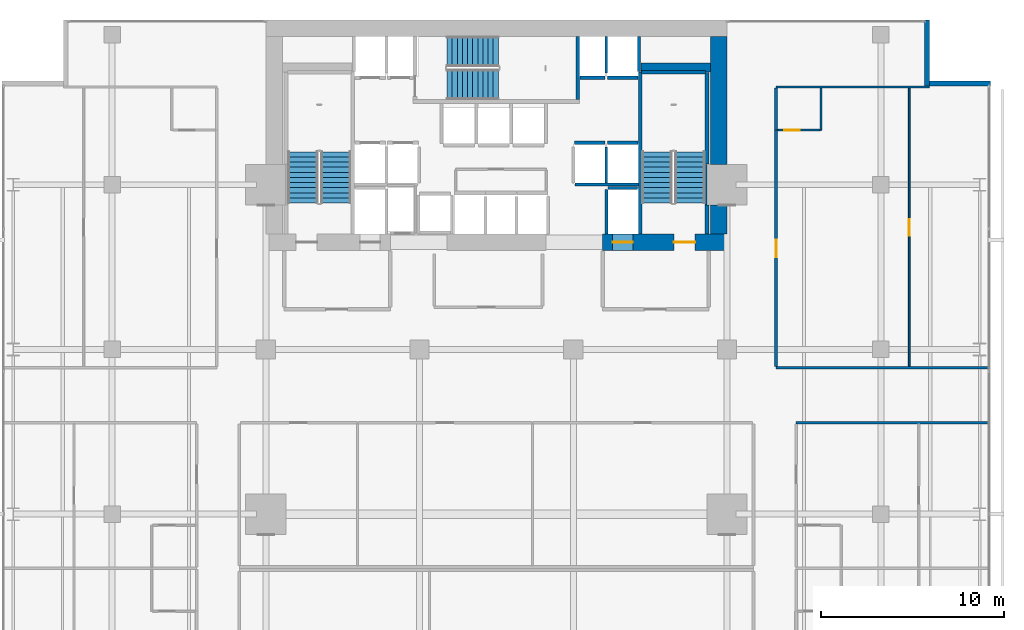
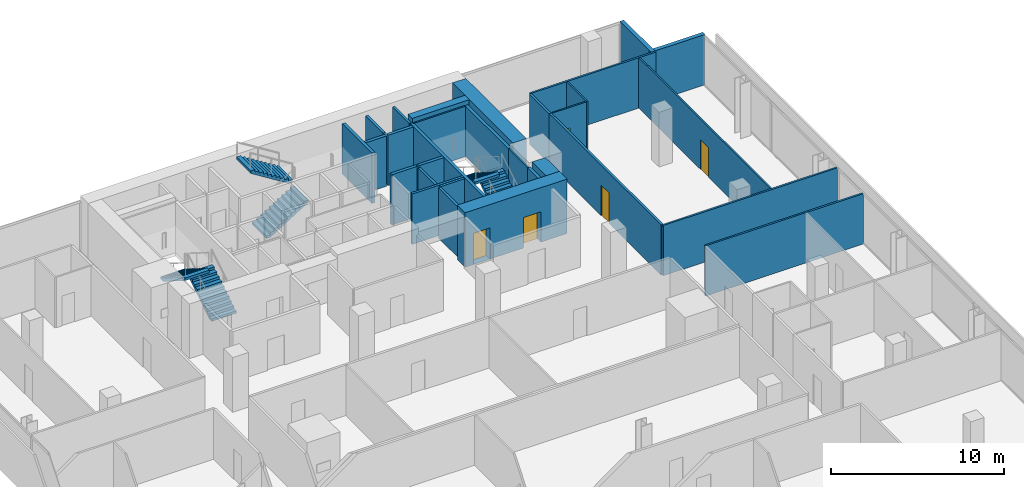
# One storey, part 36 of 39: 30 walls, 6 stair flights, 5 doors, 5 openings, 3 elements without a shape of their own.
"""IFC4 building model written with IfcOpenShell, lengths in metres."""

from ifc_helpers import new_model, si_unit, direction, frame, frame_2d, origin, place, context, subcontext, project, spatial, polyline, rectangle, outline, extrude, material, layer, layer_set, type_object, element, fill, aggregate, save


model = new_model("IFC4")

# Units and contexts
model_context = context("Model", 3, precision=1e-05, world=origin(), true_north=direction((0.0, 1.0)))
body_context = subcontext(model_context, "Body", "Model", "MODEL_VIEW")
ifc_project = project(units=[si_unit("LENGTHUNIT", "METRE"), si_unit("AREAUNIT", "SQUARE_METRE"), si_unit("VOLUMEUNIT", "CUBIC_METRE"), si_unit("PLANEANGLEUNIT", "RADIAN"), si_unit("MASSUNIT", "GRAM", prefix="KILO")], contexts=[model_context])

# Site, building, storey
site_placement = place(None, origin())
site = spatial("IfcSite", under=ifc_project, at=site_placement, CompositionType="ELEMENT")
building_placement = place(site_placement, origin())
building = spatial("IfcBuilding", under=site, at=building_placement, Name="Maruvema Waterfront Hotel and Observation Tower", CompositionType="ELEMENT")
storey_placement = place(building_placement, frame((0.0, 0.0, 111.64990234375)))
storey = spatial("IfcBuildingStorey", under=building, at=storey_placement, Name="L27", CompositionType="ELEMENT", Elevation=111.64990234375)

# Wall, opening, door
ifc_material_1 = material(Name="Twin-stud acoustic gypsum drywall", Category="gypsum")
ifc_layer_1 = layer(ifc_material_1, 0.14990234375, Name="Acoustic Corridor and Suite Demising Wall 150 mm")
ifc_layer_set_1 = layer_set([ifc_layer_1], Name="Twin-stud acoustic gypsum drywall")
wall_type_1 = type_object("IfcWallType", Name="Acoustic Corridor and Suite Demising Wall 150 mm", PredefinedType="PARTITIONING", material=ifc_layer_set_1)
wall_1_placement = place(storey_placement, frame((53.080078125, 35.06005859375, 0.0), z_axis=(0.0, 0.0, 1.0), x_axis=(0.0, 1.0, 0.0)))
wall_1 = element("IfcWall", 1, at=wall_1_placement, inside=storey, type_object=wall_type_1, Name="L27 Room L27-NE1 Corridor Wall 080", PredefinedType="PARTITIONING", context=body_context, shape_type="SweptSolid", body=[
    extrude(rectangle(XDim=12.927490234375, YDim=0.14990234375, at=frame_2d((6.4638671875, 0.0))), origin(), (0.0, 0.0, 1.0), 3.550048828125),
])
opening_1_placement = place(wall_1_placement, frame((5.98876953125, 0.0, 0.0)))
opening_1 = element("IfcOpeningElement", 2, at=opening_1_placement, cuts=wall_1, Name="Opening DR-095", PredefinedType="OPENING", context=body_context, shape_type="SweptSolid", body=[
    extrude(rectangle(XDim=0.949951171875, YDim=2.14990234375, at=frame_2d((0.47509765625, 1.074951171875))), frame((0.0, 0.0849609375, 0.0), z_axis=(0.0, -1.0, 0.0), x_axis=(1.0, 0.0, 0.0)), (0.0, 0.0, 1.0), 0.169921875),
])
ifc_material_2 = material(Name="Acoustic solid-core hardwood timber leaf", Category="wood")
door_type_1 = type_object("IfcDoorType", Name="Guestroom Entrance Fire Door 950x2150 mm", OperationType="NOTDEFINED", PredefinedType="DOOR", material=ifc_material_2)
door_1_placement = place(opening_1_placement, frame((0.949951171875, 0.0, 0.0), z_axis=(0.0, 0.0, 1.0), x_axis=(-1.0, 0.0, 0.0)))
door_1 = element("IfcDoor", 3, at=door_1_placement, inside=storey, type_object=door_type_1, Name="L27 Room L27-NE1 Entrance Door", OperationType="SINGLE_SWING_RIGHT", OverallHeight=2.14990234375, OverallWidth=0.949951171875, PredefinedType="DOOR", context=body_context, shape_type="SweptSolid", body=[
    extrude(rectangle(XDim=0.949951171875, YDim=2.14990234375, at=frame_2d((0.47509765625, 1.074951171875))), frame((0.0, 0.02490234375, 0.0), z_axis=(0.0, -1.0, 0.0), x_axis=(1.0, 0.0, 0.0)), (0.0, 0.0, 1.0), 0.050048828125),
])
fill(opening_1, door_1)

# Walls
wall_2_placement = place(storey_placement, frame((53.080078125, 47.987548828125, 0.0), z_axis=(0.0, 0.0, 1.0), x_axis=(0.0, 1.0, 0.0)))
element("IfcWall", 4, at=wall_2_placement, inside=storey, type_object=wall_type_1, Name="L27 Bath L27-NE1 Wall 081", PredefinedType="PARTITIONING", context=body_context, shape_type="SweptSolid", body=[
    extrude(rectangle(XDim=2.2900390625, YDim=0.14990234375, at=frame_2d((1.14501953125, 0.0))), origin(), (0.0, 0.0, 1.0), 3.550048828125),
])
ifc_material_3 = material(Name="Precast concrete C45/55", Category="concrete")
ifc_layer_2 = layer(ifc_material_3, 0.199951171875, Name="Core Shaft and Stairwell Enclosure Wall 200 mm")
ifc_layer_set_2 = layer_set([ifc_layer_2], Name="Precast concrete C45/55")
wall_type_2 = type_object("IfcWallType", Name="Core Shaft and Stairwell Enclosure Wall 200 mm", PredefinedType="SOLIDWALL", material=ifc_layer_set_2)
wall_3_placement = place(storey_placement, frame((42.25, 49.64990234375, 0.0), z_axis=(0.0, 0.0, 1.0), x_axis=(0.0, 1.0, 0.0)))
element("IfcWall", 5, at=wall_3_placement, inside=storey, type_object=wall_type_2, Name="L27 Stairwell ST-02 Shaft Wall", PredefinedType="SOLIDWALL", context=body_context, shape_type="SweptSolid", body=[
    extrude(rectangle(XDim=3.4501953125, YDim=0.199951171875, at=frame_2d((1.72509765625, 0.0))), origin(), (0.0, 0.0, 1.0), 3.550048828125),
])
wall_4_placement = place(storey_placement, frame((45.64990234375, 42.300048828125, 0.0), z_axis=(0.0, 0.0, 1.0), x_axis=(0.0, 1.0, 0.0)))
element("IfcWall", 6, at=wall_4_placement, inside=storey, type_object=wall_type_2, Name="L27 Stairwell ST-03 West Shaft Wall", PredefinedType="SOLIDWALL", context=body_context, shape_type="SweptSolid", body=[
    extrude(rectangle(XDim=8.849853515625, YDim=0.199951171875, at=frame_2d((4.4248046875, 0.0))), origin(), (0.0, 0.0, 1.0), 3.550048828125),
])
wall_5_placement = place(storey_placement, frame((49.300048828125, 42.300048828125, 0.0), z_axis=(0.0, 0.0, 1.0), x_axis=(0.0, 1.0, 0.0)))
element("IfcWall", 7, at=wall_5_placement, inside=storey, type_object=wall_type_2, Name="L27 Stairwell ST-03 Shaft Lining Wall", PredefinedType="SOLIDWALL", context=body_context, shape_type="SweptSolid", body=[
    extrude(rectangle(XDim=1.579833984375, YDim=0.199951171875, at=frame_2d((0.7900390625, 0.0))), origin(), (0.0, 0.0, 1.0), 3.550048828125),
])
wall_6_placement = place(storey_placement, frame((49.300048828125, 46.1201171875, 0.0), z_axis=(0.0, 0.0, 1.0), x_axis=(0.0, 1.0, 0.0)))
element("IfcWall", 8, at=wall_6_placement, inside=storey, type_object=wall_type_2, Name="L27 Stairwell ST-03 Shaft Lining Wall", PredefinedType="SOLIDWALL", context=body_context, shape_type="SweptSolid", body=[
    extrude(rectangle(XDim=5.0, YDim=0.199951171875, at=frame_2d((2.5, 0.0))), origin(), (0.0, 0.0, 1.0), 3.550048828125),
])
wall_7_placement = place(storey_placement, frame((45.719970703125, 51.14990234375, 0.0), z_axis=(0.0, 0.0, 1.0), x_axis=(1.0, 0.0, 0.0)))
element("IfcWall", 9, at=wall_7_placement, inside=storey, type_object=wall_type_2, Name="L27 Stairwell ST-03 Shaft Lining Wall", PredefinedType="SOLIDWALL", context=body_context, shape_type="SweptSolid", body=[
    extrude(rectangle(XDim=3.5, YDim=0.199951171875, at=frame_2d((1.75, 0.0))), origin(), (0.0, 0.0, 1.0), 3.550048828125),
])
for number, where, z_axis, x_axis, name in (
    (10, (42.06005859375, 47.300048828125, 0.0), (0.0, 0.0, 1.0), (1.0, 0.0, 0.0), "L27 Lift LF-05 Hoistway Front Wall"),
    (11, (43.860107421875, 47.300048828125, 0.0), (0.0, 0.0, 1.0), (1.0, 0.0, 0.0), "L27 Lift LF-06 Hoistway Front Wall"),
):
    element("IfcWall", number, at=place(storey_placement, frame(where, z_axis=z_axis, x_axis=x_axis)), inside=storey, type_object=wall_type_2, Name=name, PredefinedType="SOLIDWALL", context=body_context, shape_type="SweptSolid", body=[
        extrude(rectangle(XDim=1.679931640625, YDim=0.199951171875, at=frame_2d((0.83984375, 0.0))), origin(), (0.0, 0.0, 1.0), 3.550048828125),
    ])
wall_8_placement = place(storey_placement, frame((42.360107421875, 50.85009765625, 0.0), z_axis=(0.0, 0.0, 1.0), x_axis=(1.0, 0.0, 0.0)))
element("IfcWall", 12, at=wall_8_placement, inside=storey, type_object=wall_type_2, Name="L27 Lift LF-07 Hoistway Front Wall", PredefinedType="SOLIDWALL", context=body_context, shape_type="SweptSolid", body=[
    extrude(rectangle(XDim=1.3798828125, YDim=0.199951171875, at=frame_2d((0.68994140625, 0.0))), origin(), (0.0, 0.0, 1.0), 3.550048828125),
])
wall_9_placement = place(storey_placement, frame((43.860107421875, 50.85009765625, 0.0), z_axis=(0.0, 0.0, 1.0), x_axis=(1.0, 0.0, 0.0)))
element("IfcWall", 13, at=wall_9_placement, inside=storey, type_object=wall_type_2, Name="L27 Lift LF-08 Hoistway Front Wall", PredefinedType="SOLIDWALL", context=body_context, shape_type="SweptSolid", body=[
    extrude(rectangle(XDim=1.679931640625, YDim=0.199951171875, at=frame_2d((0.83984375, 0.0))), origin(), (0.0, 0.0, 1.0), 3.550048828125),
])
ifc_material_4 = material(Name="Concrete C70/85", Category="concrete")
ifc_layer_3 = layer(ifc_material_4, 0.5, Name="Core Shear Wall 500 mm")
ifc_layer_set_3 = layer_set([ifc_layer_3], Name="Concrete C70/85")
wall_type_3 = type_object("IfcWallType", Name="Core Shear Wall 500 mm", PredefinedType="SHEAR", material=ifc_layer_set_3)
wall_10_placement = place(storey_placement, frame((45.699951171875, 51.39990234375, 0.0), z_axis=(0.0, 0.0, 1.0), x_axis=(1.0, 0.0, 0.0)))
element("IfcWall", 14, at=wall_10_placement, inside=storey, type_object=wall_type_3, Name="L27 Internal Core Shear Wall NE 500 mm", PredefinedType="SHEAR", context=body_context, shape_type="SweptSolid", body=[
    extrude(rectangle(XDim=3.800048828125, YDim=0.5, at=frame_2d((1.89990234375, 0.0))), origin(), (0.0, 0.0, 1.0), 3.85009765625),
])

# Wall, openings, doors
ifc_material_5 = material(Name="Concrete C80/95", Category="concrete")
ifc_layer_4 = layer(ifc_material_5, 0.89990234375, Name="Core Shear Wall 900 mm")
ifc_layer_set_4 = layer_set([ifc_layer_4], Name="Concrete C80/95")
wall_type_4 = type_object("IfcWallType", Name="Core Shear Wall 900 mm", PredefinedType="SHEAR", material=ifc_layer_set_4)
wall_11_placement = place(storey_placement, frame((43.60009765625, 41.85009765625, 0.0), z_axis=(0.0, 0.0, 1.0), x_axis=(1.0, 0.0, 0.0)))
wall_11 = element("IfcWall", 15, at=wall_11_placement, inside=storey, type_object=wall_type_4, Name="L27 South-East Core Shear Wall", PredefinedType="SHEAR", context=body_context, shape_type="SweptSolid", body=[
    extrude(rectangle(XDim=6.7998046875, YDim=0.89990234375, at=frame_2d((3.39990234375, 0.0))), origin(), (0.0, 0.0, 1.0), 3.85009765625),
])
opening_2_placement = place(wall_11_placement, frame((3.89990234375, 0.0, 0.0)))
opening_2 = element("IfcOpeningElement", 16, at=opening_2_placement, cuts=wall_11, Name="Opening SD-01", PredefinedType="OPENING", context=body_context, shape_type="SweptSolid", body=[
    extrude(rectangle(XDim=1.14990234375, YDim=2.14990234375, at=frame_2d((0.574951171875, 1.074951171875))), frame((0.0, 0.4599609375, 0.0), z_axis=(0.0, -1.0, 0.0), x_axis=(1.0, 0.0, 0.0)), (0.0, 0.0, 1.0), 0.919921875),
])
opening_3_placement = place(wall_11_placement, frame((0.550048828125, 0.0, 0.0)))
opening_3 = element("IfcOpeningElement", 17, at=opening_3_placement, cuts=wall_11, Name="Opening LD-03", PredefinedType="OPENING", context=body_context, shape_type="SweptSolid", body=[
    extrude(rectangle(XDim=1.10009765625, YDim=2.199951171875, at=frame_2d((0.550048828125, 1.10009765625))), frame((0.0, 0.4599609375, 0.0), z_axis=(0.0, -1.0, 0.0), x_axis=(1.0, 0.0, 0.0)), (0.0, 0.0, 1.0), 0.919921875),
])
ifc_material_6 = material(Name="Fire-rated galvanised steel leaf", Category="steel")
door_type_2 = type_object("IfcDoorType", Name="Exit Stair Fire Door 1150x2150 mm", OperationType="NOTDEFINED", PredefinedType="DOOR", material=ifc_material_6)
door_2_placement = place(opening_2_placement, origin())
door_2 = element("IfcDoor", 18, at=door_2_placement, inside=storey, type_object=door_type_2, Name="L27 Exit Stair ST-03 Fire Door", OperationType="SINGLE_SWING_RIGHT", OverallHeight=2.14990234375, OverallWidth=1.14990234375, PredefinedType="DOOR", context=body_context, shape_type="SweptSolid", body=[
    extrude(rectangle(XDim=1.14990234375, YDim=2.14990234375, at=frame_2d((0.574951171875, 1.074951171875))), frame((0.0, 0.02490234375, 0.0), z_axis=(0.0, -1.0, 0.0), x_axis=(1.0, 0.0, 0.0)), (0.0, 0.0, 1.0), 0.050048828125),
])
fill(opening_2, door_2)
ifc_material_7 = material(Name="Brushed stainless steel Grade 316", Category="steel")
door_type_3 = type_object("IfcDoorType", Name="Firefighting Lift Sliding Landing Door 1100x2200 mm", OperationType="SLIDING_TO_LEFT", PredefinedType="DOOR", material=ifc_material_7)
door_3_placement = place(opening_3_placement, frame((1.10009765625, 0.0, 0.0), z_axis=(0.0, 0.0, 1.0), x_axis=(-1.0, 0.0, 0.0)))
door_3 = element("IfcDoor", 19, at=door_3_placement, inside=storey, type_object=door_type_3, Name="L27 Firefighting Lift FL-02 Landing Door", OperationType="SLIDING_TO_LEFT", OverallHeight=2.199951171875, OverallWidth=1.10009765625, PredefinedType="DOOR", context=body_context, shape_type="SweptSolid", body=[
    extrude(rectangle(XDim=1.10009765625, YDim=2.199951171875, at=frame_2d((0.550048828125, 1.10009765625))), frame((0.0, 0.02490234375, 0.0), z_axis=(0.0, -1.0, 0.0), x_axis=(1.0, 0.0, 0.0)), (0.0, 0.0, 1.0), 0.050048828125),
])
fill(opening_3, door_3)

# Walls
wall_12_placement = place(storey_placement, frame((49.949951171875, 42.300048828125, 0.0), z_axis=(0.0, 0.0, 1.0), x_axis=(0.0, 1.0, 0.0)))
element("IfcWall", 20, at=wall_12_placement, inside=storey, type_object=wall_type_4, Name="L27 East-South Core Shear Wall", PredefinedType="SHEAR", context=body_context, shape_type="SweptSolid", body=[
    extrude(rectangle(XDim=1.599853515625, YDim=0.89990234375, at=frame_2d((0.7998046875, 0.0))), origin(), (0.0, 0.0, 1.0), 3.85009765625),
])
wall_13_placement = place(storey_placement, frame((49.949951171875, 46.10009765625, 0.0), z_axis=(0.0, 0.0, 1.0), x_axis=(0.0, 1.0, 0.0)))
element("IfcWall", 21, at=wall_13_placement, inside=storey, type_object=wall_type_4, Name="L27 East-North Core Shear Wall", PredefinedType="SHEAR", context=body_context, shape_type="SweptSolid", body=[
    extrude(rectangle(XDim=7.0, YDim=0.89990234375, at=frame_2d((3.5, 0.0))), origin(), (0.0, 0.0, 1.0), 3.85009765625),
])
ifc_material_8 = material(Name="Moisture-resistant cement-board drywall", Category="gypsum")
ifc_layer_5 = layer(ifc_material_8, 0.10009765625, Name="En-Suite Moisture-Resistant Partition 100 mm")
ifc_layer_set_5 = layer_set([ifc_layer_5], Name="Moisture-resistant cement-board drywall")
wall_type_5 = type_object("IfcWallType", Name="En-Suite Moisture-Resistant Partition 100 mm", PredefinedType="PARTITIONING", material=ifc_layer_set_5)
wall_14_placement = place(storey_placement, frame((55.530029296875, 47.987548828125, 0.0), z_axis=(0.0, 0.0, 1.0), x_axis=(0.0, 1.0, 0.0)))
element("IfcWall", 22, at=wall_14_placement, inside=storey, type_object=wall_type_5, Name="L27 En-Suite L27-NE1 E 082", PredefinedType="PARTITIONING", context=body_context, shape_type="SweptSolid", body=[
    extrude(rectangle(XDim=2.2900390625, YDim=0.10009765625, at=frame_2d((1.14501953125, 0.0))), origin(), (0.0, 0.0, 1.0), 3.550048828125),
])

# Wall, opening, door
wall_15_placement = place(storey_placement, frame((53.179931640625, 47.987548828125, 0.0), z_axis=(0.0, 0.0, 1.0), x_axis=(1.0, 0.0, 0.0)))
wall_15 = element("IfcWall", 23, at=wall_15_placement, inside=storey, type_object=wall_type_5, Name="L27 En-Suite L27-NE1 S 083", PredefinedType="PARTITIONING", context=body_context, shape_type="SweptSolid", body=[
    extrude(rectangle(XDim=2.300048828125, YDim=0.10009765625, at=frame_2d((1.14990234375, 0.0))), origin(), (0.0, 0.0, 1.0), 3.550048828125),
])
opening_4_placement = place(wall_15_placement, frame((0.35009765625, 0.0, 0.0)))
opening_4 = element("IfcOpeningElement", 24, at=opening_4_placement, cuts=wall_15, Name="Opening DR-085", PredefinedType="OPENING", context=body_context, shape_type="SweptSolid", body=[
    extrude(rectangle(XDim=0.85009765625, YDim=2.10009765625, at=frame_2d((0.425048828125, 1.050048828125))), frame((0.0, 0.06005859375, 0.0), z_axis=(0.0, -1.0, 0.0), x_axis=(1.0, 0.0, 0.0)), (0.0, 0.0, 1.0), 0.1201171875),
])
ifc_material_9 = material(Name="Moisture-resistant solid timber leaf", Category="wood")
door_type_4 = type_object("IfcDoorType", Name="En-Suite Bathroom Door 850x2100 mm", OperationType="NOTDEFINED", PredefinedType="DOOR", material=ifc_material_9)
door_4_placement = place(opening_4_placement, frame((0.85009765625, 0.0, 0.0), z_axis=(0.0, 0.0, 1.0), x_axis=(-1.0, 0.0, 0.0)))
door_4 = element("IfcDoor", 25, at=door_4_placement, inside=storey, type_object=door_type_4, Name="L27 En-Suite L27-NE1 Door", OperationType="SINGLE_SWING_LEFT", OverallHeight=2.10009765625, OverallWidth=0.85009765625, PredefinedType="DOOR", context=body_context, shape_type="SweptSolid", body=[
    extrude(rectangle(XDim=0.85009765625, YDim=2.10009765625, at=frame_2d((0.425048828125, 1.050048828125))), frame((0.0, 0.02490234375, 0.0), z_axis=(0.0, -1.0, 0.0), x_axis=(1.0, 0.0, 0.0)), (0.0, 0.0, 1.0), 0.050048828125),
])
fill(opening_4, door_4)

wall_16_placement = place(storey_placement, frame((60.350341796875, 35.06005859375, 0.0), z_axis=(0.0, 0.0, 1.0), x_axis=(0.0, 1.0, 0.0)))
wall_16 = element("IfcWall", 26, at=wall_16_placement, inside=storey, type_object=wall_type_5, Name="L27 Suite L27-NE1 Split 084", PredefinedType="PARTITIONING", context=body_context, shape_type="SweptSolid", body=[
    extrude(rectangle(XDim=15.217529296875, YDim=0.10009765625, at=frame_2d((7.60888671875, 0.0))), origin(), (0.0, 0.0, 1.0), 3.550048828125),
])
opening_5_placement = place(wall_16_placement, frame((7.15869140625, 0.0, 0.0)))
opening_5 = element("IfcOpeningElement", 27, at=opening_5_placement, cuts=wall_16, Name="Opening DR-090", PredefinedType="OPENING", context=body_context, shape_type="SweptSolid", body=[
    extrude(rectangle(XDim=0.89990234375, YDim=2.10009765625, at=frame_2d((0.449951171875, 1.050048828125))), frame((0.0, 0.06005859375, 0.0), z_axis=(0.0, -1.0, 0.0), x_axis=(1.0, 0.0, 0.0)), (0.0, 0.0, 1.0), 0.1201171875),
])
ifc_material_10 = material(Name="Solid-core lacquered timber leaf", Category="wood")
door_type_5 = type_object("IfcDoorType", Name="Accessible Toilet and Room Door 900x2100 mm", OperationType="NOTDEFINED", PredefinedType="DOOR", material=ifc_material_10)
door_5_placement = place(opening_5_placement, frame((0.89990234375, 0.0, 0.0), z_axis=(0.0, 0.0, 1.0), x_axis=(-1.0, 0.0, 0.0)))
door_5 = element("IfcDoor", 28, at=door_5_placement, inside=storey, type_object=door_type_5, Name="L27 Suite L27-NE1 Bedroom Door", OperationType="SINGLE_SWING_LEFT", OverallHeight=2.10009765625, OverallWidth=0.89990234375, PredefinedType="DOOR", context=body_context, shape_type="SweptSolid", body=[
    extrude(rectangle(XDim=0.89990234375, YDim=2.10009765625, at=frame_2d((0.449951171875, 1.050048828125))), frame((0.0, 0.02490234375, 0.0), z_axis=(0.0, -1.0, 0.0), x_axis=(1.0, 0.0, 0.0)), (0.0, 0.0, 1.0), 0.050048828125),
])
fill(opening_5, door_5)

# Walls
ifc_material_11 = material(Name="Precast concrete C45/55 with honed Pernambuco granite facing", Category="masonry")
ifc_layer_6 = layer(ifc_material_11, 0.260009765625, Name="Exterior Granite Clad Spandrel and Pier Wall 260 mm")
ifc_layer_set_6 = layer_set([ifc_layer_6], Name="Precast concrete C45/55 with honed Pernambuco granite facing")
wall_type_6 = type_object("IfcWallType", Name="Exterior Granite Clad Spandrel and Pier Wall 260 mm", PredefinedType="SOLIDWALL", material=ifc_layer_set_6)
for number, where, z_axis, x_axis, name in (
    (29, (61.330078125, 54.0, 0.0), (0.0, 0.0, 1.0), (0.0, -1.0, 0.0), "L27 Corner Notch Granite Pier Wall NE1"),
    (30, (61.199951171875, 50.530029296875, 0.0), (0.0, 0.0, 1.0), (1.0, 0.0, 0.0), "L27 Corner Notch Granite Pier Wall NE2"),
):
    element("IfcWall", number, at=place(storey_placement, frame(where, z_axis=z_axis, x_axis=x_axis)), inside=storey, type_object=wall_type_6, Name=name, PredefinedType="SOLIDWALL", context=body_context, shape_type="SweptSolid", body=[
        extrude(rectangle(XDim=3.60009765625, YDim=0.260009765625, at=frame_2d((1.800048828125, 0.0))), origin(), (0.0, 0.0, 1.0), 3.550048828125),
    ])
ifc_material_12 = material(Name="Acoustic gypsum plasterboard drywall", Category="gypsum")
ifc_layer_7 = layer(ifc_material_12, 0.125, Name="Guestroom Acoustic Demising Wall 125 mm")
ifc_layer_set_7 = layer_set([ifc_layer_7], Name="Acoustic gypsum plasterboard drywall")
wall_type_7 = type_object("IfcWallType", Name="Guestroom Acoustic Demising Wall 125 mm", PredefinedType="PARTITIONING", material=ifc_layer_set_7)
wall_17_placement = place(storey_placement, frame((54.179931640625, 32.0, 0.0), z_axis=(0.0, 0.0, 1.0), x_axis=(1.0, 0.0, 0.0)))
element("IfcWall", 31, at=wall_17_placement, inside=storey, type_object=wall_type_7, Name="L27 E Top End 048", PredefinedType="PARTITIONING", context=body_context, shape_type="SweptSolid", body=[
    extrude(rectangle(XDim=10.52001953125, YDim=0.125, at=frame_2d((5.260009765625, 0.0))), origin(), (0.0, 0.0, 1.0), 3.550048828125),
])
wall_18_placement = place(storey_placement, frame((53.080078125, 35.0, 0.0), z_axis=(0.0, 0.0, 1.0), x_axis=(1.0, 0.0, 0.0)))
element("IfcWall", 32, at=wall_18_placement, inside=storey, type_object=wall_type_7, Name="L27 NE Bot End 072", PredefinedType="PARTITIONING", context=body_context, shape_type="SweptSolid", body=[
    extrude(rectangle(XDim=11.619873046875, YDim=0.125, at=frame_2d((5.81005859375, 0.0))), origin(), (0.0, 0.0, 1.0), 3.550048828125),
])
wall_19_placement = place(storey_placement, frame((53.080078125, 50.33740234375, 0.0), z_axis=(0.0, 0.0, 1.0), x_axis=(1.0, 0.0, 0.0)))
element("IfcWall", 33, at=wall_19_placement, inside=storey, type_object=wall_type_7, Name="L27 NE Top End 074", PredefinedType="PARTITIONING", context=body_context, shape_type="SweptSolid", body=[
    extrude(rectangle(XDim=8.3798828125, YDim=0.125, at=frame_2d((4.18994140625, 0.0))), origin(), (0.0, 0.0, 1.0), 3.550048828125),
])
ifc_material_13 = material(Name="Precast concrete C45/55", Category="concrete")
ifc_layer_8 = layer(ifc_material_13, 0.159912109375, Name="Lift Hoistway Divider Wall 160 mm")
ifc_layer_set_8 = layer_set([ifc_layer_8], Name="Precast concrete C45/55")
wall_type_8 = type_object("IfcWallType", Name="Lift Hoistway Divider Wall 160 mm", PredefinedType="SOLIDWALL", material=ifc_layer_set_8)
wall_20_placement = place(storey_placement, frame((43.89990234375, 44.830078125, 0.0), z_axis=(0.0, 0.0, 1.0), x_axis=(1.0, 0.0, 0.0)))
element("IfcWall", 34, at=wall_20_placement, inside=storey, type_object=wall_type_8, Name="L27 Lift FL-02 Rear Hoistway Wall", PredefinedType="SOLIDWALL", context=body_context, shape_type="SweptSolid", body=[
    extrude(rectangle(XDim=1.60009765625, YDim=0.159912109375, at=frame_2d((0.800048828125, 0.0))), origin(), (0.0, 0.0, 1.0), 3.550048828125),
])
wall_21_placement = place(storey_placement, frame((43.820068359375, 42.300048828125, 0.0), z_axis=(0.0, 0.0, 1.0), x_axis=(0.0, 1.0, 0.0)))
element("IfcWall", 35, at=wall_21_placement, inside=storey, type_object=wall_type_8, Name="L27 Lift FL-02 Inner Hoistway Wall", PredefinedType="SOLIDWALL", context=body_context, shape_type="SweptSolid", body=[
    extrude(rectangle(XDim=2.43994140625, YDim=0.159912109375, at=frame_2d((1.219970703125, 0.0))), origin(), (0.0, 0.0, 1.0), 3.550048828125),
])
wall_22_placement = place(storey_placement, frame((43.800048828125, 45.10009765625, 0.0), z_axis=(0.0, 0.0, 1.0), x_axis=(0.0, 1.0, 0.0)))
element("IfcWall", 36, at=wall_22_placement, inside=storey, type_object=wall_type_8, Name="L27 Hoistway Divider Wall", PredefinedType="SOLIDWALL", context=body_context, shape_type="SweptSolid", body=[
    extrude(rectangle(XDim=1.949951171875, YDim=0.159912109375, at=frame_2d((0.97509765625, 0.0))), origin(), (0.0, 0.0, 1.0), 3.550048828125),
])
wall_23_placement = place(storey_placement, frame((42.10009765625, 45.010009765625, 0.0), z_axis=(0.0, 0.0, 1.0), x_axis=(1.0, 0.0, 0.0)))
element("IfcWall", 37, at=wall_23_placement, inside=storey, type_object=wall_type_8, Name="L27 Hoistway Divider Wall", PredefinedType="SOLIDWALL", context=body_context, shape_type="SweptSolid", body=[
    extrude(rectangle(XDim=3.449951171875, YDim=0.159912109375, at=frame_2d((1.72509765625, 0.0))), origin(), (0.0, 0.0, 1.0), 3.550048828125),
])
wall_24_placement = place(storey_placement, frame((45.590087890625, 51.179931640625, 0.0), z_axis=(0.0, 0.0, 1.0), x_axis=(0.0, 1.0, 0.0)))
element("IfcWall", 38, at=wall_24_placement, inside=storey, type_object=wall_type_8, Name="L27 Hoistway Divider Wall", PredefinedType="SOLIDWALL", context=body_context, shape_type="SweptSolid", body=[
    extrude(rectangle(XDim=1.920166015625, YDim=0.159912109375, at=frame_2d((0.9599609375, 0.0))), origin(), (0.0, 0.0, 1.0), 3.550048828125),
])
wall_25_placement = place(storey_placement, frame((43.800048828125, 51.10009765625, 0.0), z_axis=(0.0, 0.0, 1.0), x_axis=(0.0, 1.0, 0.0)))
element("IfcWall", 39, at=wall_25_placement, inside=storey, type_object=wall_type_8, Name="L27 Hoistway Divider Wall", PredefinedType="SOLIDWALL", context=body_context, shape_type="SweptSolid", body=[
    extrude(rectangle(XDim=2.0, YDim=0.159912109375, at=frame_2d((1.0, 0.0))), origin(), (0.0, 0.0, 1.0), 3.550048828125),
])
ifc_material_14 = material(Name="Precast concrete C45/55", Category="concrete")
ifc_layer_9 = layer(ifc_material_14, 0.10009765625, Name="Stairwell Stringer Cheek Wall 100 mm")
ifc_layer_set_9 = layer_set([ifc_layer_9], Name="Precast concrete C45/55")
wall_type_9 = type_object("IfcWallType", Name="Stairwell Stringer Cheek Wall 100 mm", PredefinedType="SOLIDWALL", material=ifc_layer_set_9)
wall_26_placement = place(storey_placement, frame((49.248046875, 43.89990234375, 0.0), z_axis=(0.0, 0.0, 1.0), x_axis=(0.0, 1.0, 0.0)))
element("IfcWall", 40, at=wall_26_placement, inside=storey, type_object=wall_type_9, Name="L27 Stairwell ST-03 Mega-Column Cheek Wall", PredefinedType="SOLIDWALL", context=body_context, shape_type="SweptSolid", body=[
    extrude(rectangle(XDim=2.2001953125, YDim=0.10009765625, at=frame_2d((1.10009765625, 0.0))), origin(), (0.0, 0.0, 1.0), 3.550048828125),
])

# Stair, stair flights
ifc_material_15 = material(Name="Concrete C50/60", Category="concrete")
stair_type = type_object("IfcStairType", Name="Dogleg Exit Stair 1650 mm (22R x 175.0 mm)", PredefinedType="HALF_TURN_STAIR", material=ifc_material_15)
stair_1_placement = place(storey_placement, origin())
stair_1 = element("IfcStair", 41, at=stair_1_placement, inside=storey, type_object=stair_type, Name="L27 ST-01", PredefinedType="HALF_TURN_STAIR")
ifc_material_16 = material(Name="Concrete C50/60", Category="concrete")
stair_flight_type = type_object("IfcStairFlightType", Name="Reinforced Concrete Stair Flight 1650 mm (11R x 175.0 mm)", PredefinedType="STRAIGHT", material=ifc_material_16)
stair_flight_1_placement = place(storey_placement, frame((29.02490234375, 44.0, 0.0), z_axis=(0.0, 0.0, 1.0), x_axis=(0.0, 1.0, 0.0)))
stair_flight_1 = element("IfcStairFlight", 42, at=stair_flight_1_placement, type_object=stair_flight_type, Name="ST-01 flight 1", NumberOfRisers=11, NumberOfTreads=10, PredefinedType="STRAIGHT", RiserHeight=0.175, TreadLength=0.28, context=body_context, shape_type="SweptSolid", body=[
    extrude(outline(polyline([(0.0, 0.0), (0.0, 0.175048828125), (0.280029296875, 0.175048828125), (0.280029296875, 0.35009765625), (0.56005859375, 0.35009765625), (0.56005859375, 0.52490234375), (0.840087890625, 0.52490234375), (0.840087890625, 0.699951171875), (1.1201171875, 0.699951171875), (1.1201171875, 0.875), (1.39990234375, 0.875), (1.39990234375, 1.050048828125), (1.679931640625, 1.050048828125), (1.679931640625, 1.22509765625), (1.9599609375, 1.22509765625), (1.9599609375, 1.39990234375), (2.239990234375, 1.39990234375), (2.239990234375, 1.574951171875), (2.52001953125, 1.574951171875), (2.52001953125, 1.75), (2.800048828125, 1.75), (2.800048828125, 1.925048828125), (2.800048828125, 1.5732421875), (0.28271484375, 0.0), (0.0, 0.0)])), frame((0.0, 0.824951171875, 0.0), z_axis=(0.0, -1.0, 0.0), x_axis=(1.0, 0.0, 0.0)), (0.0, 0.0, 1.0), 1.64990234375),
])
stair_flight_2_placement = place(storey_placement, frame((27.22509765625, 46.800048828125, 1.925048828125), z_axis=(0.0, 0.0, 1.0), x_axis=(0.0, -1.0, 0.0)))
stair_flight_2 = element("IfcStairFlight", 43, at=stair_flight_2_placement, type_object=stair_flight_type, Name="ST-01 flight 2", NumberOfRisers=11, NumberOfTreads=10, PredefinedType="STRAIGHT", RiserHeight=0.175, TreadLength=0.28, context=body_context, shape_type="SweptSolid", body=[
    extrude(outline(polyline([(0.0, 0.0), (0.0, 0.175048828125), (0.280029296875, 0.175048828125), (0.280029296875, 0.35009765625), (0.56005859375, 0.35009765625), (0.56005859375, 0.52490234375), (0.840087890625, 0.52490234375), (0.840087890625, 0.699951171875), (1.1201171875, 0.699951171875), (1.1201171875, 0.875), (1.39990234375, 0.875), (1.39990234375, 1.050048828125), (1.679931640625, 1.050048828125), (1.679931640625, 1.22509765625), (1.9599609375, 1.22509765625), (1.9599609375, 1.39990234375), (2.239990234375, 1.39990234375), (2.239990234375, 1.574951171875), (2.52001953125, 1.574951171875), (2.52001953125, 1.75), (2.800048828125, 1.75), (2.800048828125, 1.925048828125), (2.800048828125, 1.5732421875), (0.28271484375, 0.0), (0.0, 0.0)])), frame((0.0, 0.824951171875, 0.0), z_axis=(0.0, -1.0, 0.0), x_axis=(1.0, 0.0, 0.0)), (0.0, 0.0, 1.0), 1.64990234375),
])
aggregate(stair_1, [stair_flight_1, stair_flight_2])

stair_2_placement = place(storey_placement, origin())
stair_2 = element("IfcStair", 44, at=stair_2_placement, inside=storey, type_object=stair_type, Name="L27 ST-02", PredefinedType="HALF_TURN_STAIR")
stair_flight_3_placement = place(storey_placement, frame((35.10009765625, 50.47509765625, 0.0), z_axis=(0.0, 0.0, 1.0), x_axis=(1.0, 0.0, 0.0)))
stair_flight_3 = element("IfcStairFlight", 45, at=stair_flight_3_placement, type_object=stair_flight_type, Name="ST-02 flight 1", NumberOfRisers=11, NumberOfTreads=10, PredefinedType="STRAIGHT", RiserHeight=0.175, TreadLength=0.28, context=body_context, shape_type="SweptSolid", body=[
    extrude(outline(polyline([(0.0, 0.0), (0.0, 0.175048828125), (0.280029296875, 0.175048828125), (0.280029296875, 0.35009765625), (0.56005859375, 0.35009765625), (0.56005859375, 0.52490234375), (0.840087890625, 0.52490234375), (0.840087890625, 0.699951171875), (1.1201171875, 0.699951171875), (1.1201171875, 0.875), (1.39990234375, 0.875), (1.39990234375, 1.050048828125), (1.679931640625, 1.050048828125), (1.679931640625, 1.22509765625), (1.9599609375, 1.22509765625), (1.9599609375, 1.39990234375), (2.239990234375, 1.39990234375), (2.239990234375, 1.574951171875), (2.52001953125, 1.574951171875), (2.52001953125, 1.75), (2.800048828125, 1.75), (2.800048828125, 1.925048828125), (2.800048828125, 1.5732421875), (0.28271484375, 0.0), (0.0, 0.0)])), frame((0.0, 0.824951171875, 0.0), z_axis=(0.0, -1.0, 0.0), x_axis=(1.0, 0.0, 0.0)), (0.0, 0.0, 1.0), 1.64990234375),
])
stair_flight_4_placement = place(storey_placement, frame((37.89990234375, 52.27490234375, 1.925048828125), z_axis=(0.0, 0.0, 1.0), x_axis=(-1.0, 0.0, 0.0)))
stair_flight_4 = element("IfcStairFlight", 46, at=stair_flight_4_placement, type_object=stair_flight_type, Name="ST-02 flight 2", NumberOfRisers=11, NumberOfTreads=10, PredefinedType="STRAIGHT", RiserHeight=0.175, TreadLength=0.28, context=body_context, shape_type="SweptSolid", body=[
    extrude(outline(polyline([(0.0, 0.0), (0.0, 0.175048828125), (0.280029296875, 0.175048828125), (0.280029296875, 0.35009765625), (0.56005859375, 0.35009765625), (0.56005859375, 0.52490234375), (0.840087890625, 0.52490234375), (0.840087890625, 0.699951171875), (1.1201171875, 0.699951171875), (1.1201171875, 0.875), (1.39990234375, 0.875), (1.39990234375, 1.050048828125), (1.679931640625, 1.050048828125), (1.679931640625, 1.22509765625), (1.9599609375, 1.22509765625), (1.9599609375, 1.39990234375), (2.239990234375, 1.39990234375), (2.239990234375, 1.574951171875), (2.52001953125, 1.574951171875), (2.52001953125, 1.75), (2.800048828125, 1.75), (2.800048828125, 1.925048828125), (2.800048828125, 1.5732421875), (0.28271484375, 0.0), (0.0, 0.0)])), frame((0.0, 0.824951171875, 0.0), z_axis=(0.0, -1.0, 0.0), x_axis=(1.0, 0.0, 0.0)), (0.0, 0.0, 1.0), 1.64990234375),
])
aggregate(stair_2, [stair_flight_3, stair_flight_4])

stair_3_placement = place(storey_placement, origin())
stair_3 = element("IfcStair", 47, at=stair_3_placement, inside=storey, type_object=stair_type, Name="L27 ST-03", PredefinedType="HALF_TURN_STAIR")
stair_flight_5_placement = place(storey_placement, frame((48.375, 44.0, 0.0), z_axis=(0.0, 0.0, 1.0), x_axis=(0.0, 1.0, 0.0)))
stair_flight_5 = element("IfcStairFlight", 48, at=stair_flight_5_placement, type_object=stair_flight_type, Name="ST-03 flight 1", NumberOfRisers=11, NumberOfTreads=10, PredefinedType="STRAIGHT", RiserHeight=0.175, TreadLength=0.28, context=body_context, shape_type="SweptSolid", body=[
    extrude(outline(polyline([(0.0, 0.0), (0.0, 0.175048828125), (0.280029296875, 0.175048828125), (0.280029296875, 0.35009765625), (0.56005859375, 0.35009765625), (0.56005859375, 0.52490234375), (0.840087890625, 0.52490234375), (0.840087890625, 0.699951171875), (1.1201171875, 0.699951171875), (1.1201171875, 0.875), (1.39990234375, 0.875), (1.39990234375, 1.050048828125), (1.679931640625, 1.050048828125), (1.679931640625, 1.22509765625), (1.9599609375, 1.22509765625), (1.9599609375, 1.39990234375), (2.239990234375, 1.39990234375), (2.239990234375, 1.574951171875), (2.52001953125, 1.574951171875), (2.52001953125, 1.75), (2.800048828125, 1.75), (2.800048828125, 1.925048828125), (2.800048828125, 1.5732421875), (0.28271484375, 0.0), (0.0, 0.0)])), frame((0.0, 0.824951171875, 0.0), z_axis=(0.0, -1.0, 0.0), x_axis=(1.0, 0.0, 0.0)), (0.0, 0.0, 1.0), 1.64990234375),
])
stair_flight_6_placement = place(storey_placement, frame((46.574951171875, 46.800048828125, 1.925048828125), z_axis=(0.0, 0.0, 1.0), x_axis=(0.0, -1.0, 0.0)))
stair_flight_6 = element("IfcStairFlight", 49, at=stair_flight_6_placement, type_object=stair_flight_type, Name="ST-03 flight 2", NumberOfRisers=11, NumberOfTreads=10, PredefinedType="STRAIGHT", RiserHeight=0.175, TreadLength=0.28, context=body_context, shape_type="SweptSolid", body=[
    extrude(outline(polyline([(0.0, 0.0), (0.0, 0.175048828125), (0.280029296875, 0.175048828125), (0.280029296875, 0.35009765625), (0.56005859375, 0.35009765625), (0.56005859375, 0.52490234375), (0.840087890625, 0.52490234375), (0.840087890625, 0.699951171875), (1.1201171875, 0.699951171875), (1.1201171875, 0.875), (1.39990234375, 0.875), (1.39990234375, 1.050048828125), (1.679931640625, 1.050048828125), (1.679931640625, 1.22509765625), (1.9599609375, 1.22509765625), (1.9599609375, 1.39990234375), (2.239990234375, 1.39990234375), (2.239990234375, 1.574951171875), (2.52001953125, 1.574951171875), (2.52001953125, 1.75), (2.800048828125, 1.75), (2.800048828125, 1.925048828125), (2.800048828125, 1.5732421875), (0.28271484375, 0.0), (0.0, 0.0)])), frame((0.0, 0.824951171875, 0.0), z_axis=(0.0, -1.0, 0.0), x_axis=(1.0, 0.0, 0.0)), (0.0, 0.0, 1.0), 1.64990234375),
])
aggregate(stair_3, [stair_flight_5, stair_flight_6])

save(model, "model.ifc")
